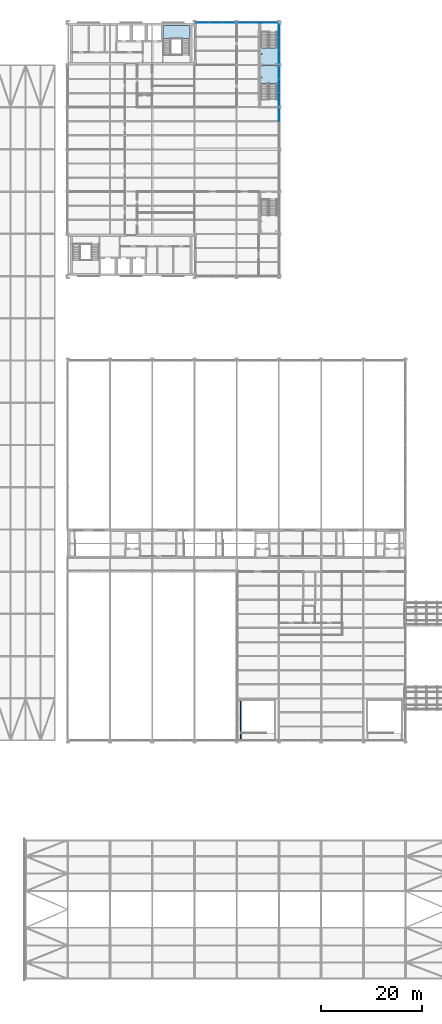
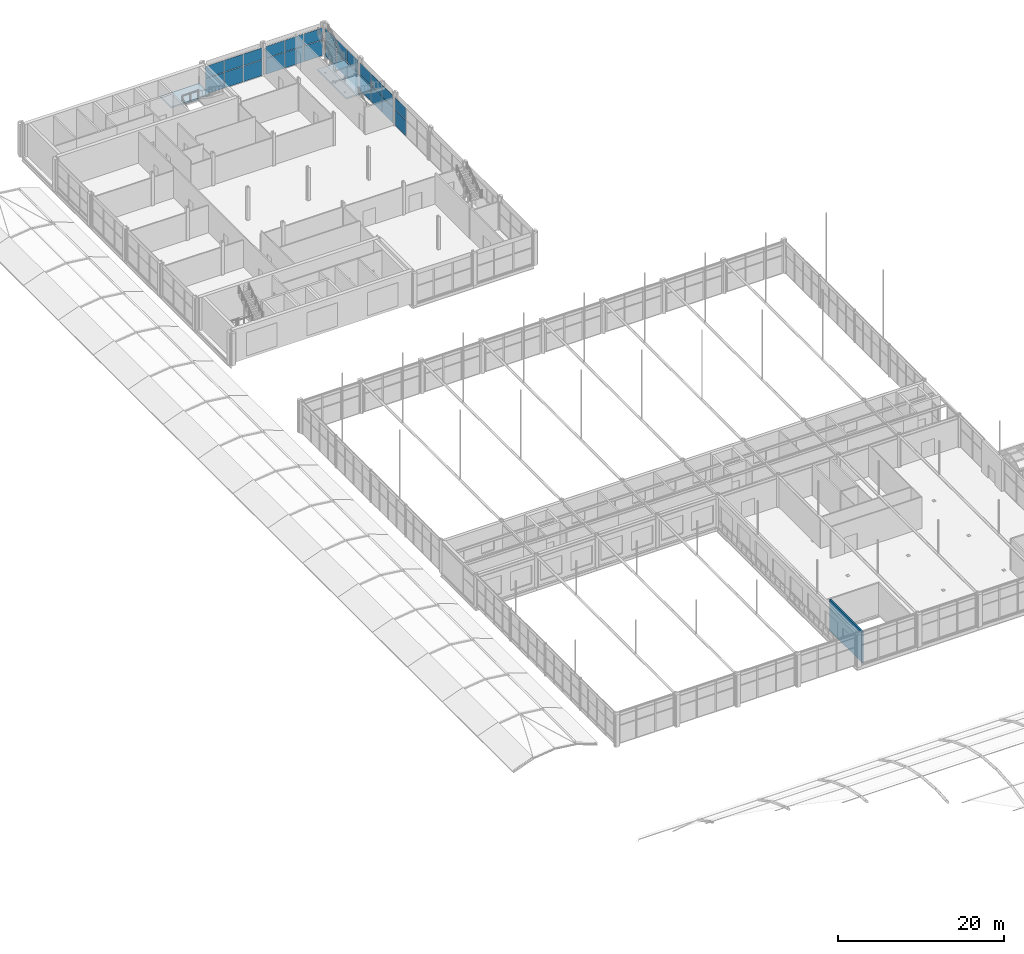
# One storey, part 149 of 167: 26 plates, 3 slabs, 1 wall, 8 elements without a shape of their own.
"""IFC4 building model written with IfcOpenShell, lengths in metres."""

import ifcopenshell
import ifcopenshell.guid

model = None  # the IFC model being written
_history = None  # IfcOwnerHistory: only IFC2X3 demands one
_inside = {}  # id of a spatial element -> (the spatial element, [elements in it])
_under = {}  # id of a project, library or spatial element -> (it, [spatial elements below it])
_declared = {}  # id of a project -> (the project, [libraries it declares])
_typed = {}  # id of a type object -> (the type object, [elements of that type])
_made_of = {}  # id of a material, layer set ... -> (it, [elements and type objects made of it])


def new_model(schema):
    """Start an empty IFC model of exactly this schema.

    Asked for "IFC4X3", IfcOpenShell would pick the latest addendum, in which some entities
    have other attributes; the version numbers below select the first issue.
    IFC2X3 requires an IfcOwnerHistory on every rooted entity: one is made here for all.
    """
    global model, _history
    if schema == "IFC4X3":
        model = ifcopenshell.file(schema_version=(4, 3, 0, 0))
    else:
        model = ifcopenshell.file(schema=schema)
    _inside.clear()
    _under.clear()
    _declared.clear()
    _typed.clear()
    _made_of.clear()
    _history = None
    if model.schema == "IFC2X3":
        org = make("IfcOrganization", Name="unknown")
        user = make(
            "IfcPersonAndOrganization",
            ThePerson=make("IfcPerson", FamilyName="unknown"),
            TheOrganization=org,
        )
        app = make(
            "IfcApplication",
            ApplicationDeveloper=org,
            Version="unknown",
            ApplicationFullName="unknown",
            ApplicationIdentifier="unknown",
        )
        _history = make(
            "IfcOwnerHistory",
            OwningUser=user,
            OwningApplication=app,
            ChangeAction="ADDED",
            CreationDate=0,
        )
    return model


def make(cls, **values):
    """One entity of the class cls with the attributes given. An attribute that is None is left unset."""
    return model.create_entity(
        cls, **{name: value for name, value in values.items() if value is not None}
    )


def rooted(cls, **values):
    """An entity with a GlobalId (a new one), such as an element, a storey or a relation."""
    return make(cls, GlobalId=ifcopenshell.guid.new(), OwnerHistory=_history, **values)


def si_unit(unit_type, name, prefix=None):
    """IfcSIUnit, for example si_unit("LENGTHUNIT", "METRE", prefix="MILLI")."""
    return make("IfcSIUnit", UnitType=unit_type, Prefix=prefix, Name=name)


def assignment(units):
    """IfcUnitAssignment: the units of a project."""
    return None if units is None else make("IfcUnitAssignment", Units=units)


def point(xyz):
    """IfcCartesianPoint."""
    return None if xyz is None else make("IfcCartesianPoint", Coordinates=xyz)


def direction(xyz):
    """IfcDirection."""
    return None if xyz is None else make("IfcDirection", DirectionRatios=xyz)


def frame(location, z_axis=None, x_axis=None):
    """IfcAxis2Placement3D, a coordinate frame: its origin and axes. An axis left out is left unset."""
    return make(
        "IfcAxis2Placement3D",
        Location=point(location),
        Axis=direction(z_axis),
        RefDirection=direction(x_axis),
    )


def frame_2d(location, x_axis=None):
    """IfcAxis2Placement2D, a coordinate frame in the plane: its origin and x axis."""
    return make(
        "IfcAxis2Placement2D", Location=point(location), RefDirection=direction(x_axis)
    )


def origin():
    """The frame at (0, 0, 0) with its axes left unset."""
    return frame((0.0, 0.0, 0.0))


def origin_2d():
    """The frame at (0, 0) in the plane with its x axis left unset."""
    return frame_2d((0.0, 0.0))


def place(relative_to, where):
    """IfcLocalPlacement: puts the frame where relative to a parent placement (None: the world)."""
    return make(
        "IfcLocalPlacement", PlacementRelTo=relative_to, RelativePlacement=where
    )


def context(
    kind, dimensions, precision=None, world=None, true_north=None, identifier=None
):
    """IfcGeometricRepresentationContext, for example the 3D "Model" context."""
    return make(
        "IfcGeometricRepresentationContext",
        ContextIdentifier=identifier,
        ContextType=kind,
        CoordinateSpaceDimension=dimensions,
        Precision=precision,
        WorldCoordinateSystem=world,
        TrueNorth=true_north,
    )


def subcontext(parent, identifier, kind, view, scale=None):
    """IfcGeometricRepresentationSubContext, for example "Body" below "Model"."""
    return make(
        "IfcGeometricRepresentationSubContext",
        ContextIdentifier=identifier,
        ContextType=kind,
        ParentContext=parent,
        TargetScale=scale,
        TargetView=view,
    )


def project(units=None, contexts=None):
    """IfcProject with its units and contexts."""
    return rooted(
        "IfcProject",
        Name="project",
        RepresentationContexts=contexts,
        UnitsInContext=assignment(units),
    )


def spatial(cls, under=None, at=None, **own):
    """A site, building, storey or space (cls), placed at a placement, below another one or the project."""
    s = rooted(cls, ObjectPlacement=at, **own)
    if under is not None:
        _under.setdefault(under.id(), (under, []))[1].append(s)
    return s


def polyline(points):
    """IfcPolyline through the points."""
    return make("IfcPolyline", Points=[point(p) for p in points])


def profile(cls, at=None, kind="AREA", **sizes):
    """A parametric profile (cls). Its sizes go by their IFC names, for example OverallWidth=200.0."""
    return make(cls, ProfileType=kind, Position=at, **sizes)


def rectangle(**sizes):
    """IfcRectangleProfileDef."""
    return profile("IfcRectangleProfileDef", **sizes)


def outline(outer, holes=None, kind="AREA"):
    """IfcArbitraryClosedProfileDef: a profile drawn as a closed curve; with holes, ...WithVoids."""
    if holes is None:
        return make("IfcArbitraryClosedProfileDef", ProfileType=kind, OuterCurve=outer)
    return make(
        "IfcArbitraryProfileDefWithVoids",
        ProfileType=kind,
        OuterCurve=outer,
        InnerCurves=holes,
    )


def extrude(swept, where, along, depth):
    """IfcExtrudedAreaSolid: the profile swept, set in the frame where, extruded along a direction by depth."""
    return make(
        "IfcExtrudedAreaSolid",
        SweptArea=swept,
        Position=where,
        ExtrudedDirection=direction(along),
        Depth=depth,
    )


def shape(context_of_items, identifier, shape_type, items):
    """IfcShapeRepresentation: the items that make up one representation, for example the "Body"."""
    return make(
        "IfcShapeRepresentation",
        ContextOfItems=context_of_items,
        RepresentationIdentifier=identifier,
        RepresentationType=shape_type,
        Items=items,
    )


def material(Name=None, Category=None):
    """IfcMaterial."""
    return make("IfcMaterial", Name=Name, Category=Category)


def layer(
    of_material, thickness, ventilated=None, Name=None, Category=None, Priority=None
):
    """IfcMaterialLayer: one layer of a wall or slab, of a material (None: an air gap)."""
    return make(
        "IfcMaterialLayer",
        Material=of_material,
        LayerThickness=thickness,
        IsVentilated=ventilated,
        Name=Name,
        Category=Category,
        Priority=Priority,
    )


def layer_set(layers, Name=None):
    """IfcMaterialLayerSet."""
    return make("IfcMaterialLayerSet", MaterialLayers=layers, LayerSetName=Name)


def made_of(thing, what):
    """Note that an element or type object is made of a material, layer set ...; save() writes the relation."""
    if what is not None:
        _made_of.setdefault(what.id(), (what, []))[1].append(thing)
    return thing


def type_object(cls, material=None, **own):
    """A type object (cls), such as IfcWallType, which elements share."""
    return made_of(rooted(cls, **own), material)


def element(
    cls,
    number,
    at=None,
    inside=None,
    cuts=None,
    type_object=None,
    material=None,
    context=None,
    identifier="Body",
    shape_type=None,
    held_by="IfcProductDefinitionShape",
    body=None,
    shapes=None,
    **own,
):
    """One element of the class cls, such as IfcWall. Its Tag is "e" and its number.

    at: its placement. inside: the storey or other place that contains it. cuts: it is an
    opening in that element (IfcRelVoidsElement). A single representation is given by context,
    identifier, shape_type and body (its items); several are given by shapes. held_by: the class
    of the entity that holds the representations. save() writes the other relations.
    """
    e = rooted(cls, Tag="e%d" % number, ObjectPlacement=at, **own)
    if body is not None:
        shapes = [shape(context, identifier, shape_type, body)]
    if shapes is not None:
        e.Representation = make(held_by, Representations=shapes)
    if inside is not None:
        _inside.setdefault(inside.id(), (inside, []))[1].append(e)
    if cuts is not None:
        rooted(
            "IfcRelVoidsElement", RelatingBuildingElement=cuts, RelatedOpeningElement=e
        )
    if type_object is not None:
        _typed.setdefault(type_object.id(), (type_object, []))[1].append(e)
    return made_of(e, material)


def aggregate(whole, parts):
    """IfcRelAggregates: a whole, such as a stair, and the parts it consists of."""
    return rooted("IfcRelAggregates", RelatingObject=whole, RelatedObjects=parts)


def save(model, path):
    """Write the relations noted so far, then the file.

    IfcRelAggregates (storeys below a building ...), IfcRelContainedInSpatialStructure (elements
    in a storey), IfcRelDefinesByType, IfcRelAssociatesMaterial and IfcRelDeclares: one each for
    every whole, place, type object, material and project.
    """
    for whole, parts in _under.values():
        aggregate(whole, parts)
    for where, things in _inside.values():
        rooted(
            "IfcRelContainedInSpatialStructure",
            RelatedElements=things,
            RelatingStructure=where,
        )
    for kind, things in _typed.values():
        rooted("IfcRelDefinesByType", RelatedObjects=things, RelatingType=kind)
    for what, things in _made_of.values():
        rooted("IfcRelAssociatesMaterial", RelatedObjects=things, RelatingMaterial=what)
    for by, libraries in _declared.values():
        rooted("IfcRelDeclares", RelatingContext=by, RelatedDefinitions=libraries)
    model.write(path)


model = new_model("IFC4")

# Units and contexts
model_context = context("Model", 3, precision=1e-05, world=origin(), true_north=direction((0.0, 1.0)))
body_context = subcontext(model_context, "Body", "Model", "MODEL_VIEW")
ifc_project = project(units=[si_unit("LENGTHUNIT", "METRE"), si_unit("AREAUNIT", "SQUARE_METRE"), si_unit("VOLUMEUNIT", "CUBIC_METRE"), si_unit("PLANEANGLEUNIT", "RADIAN"), si_unit("MASSUNIT", "GRAM", prefix="KILO")], contexts=[model_context])

# Site, building, storey
site_placement = place(None, origin())
site = spatial("IfcSite", under=ifc_project, at=site_placement, CompositionType="ELEMENT")
building_placement = place(site_placement, origin())
building = spatial("IfcBuilding", under=site, at=building_placement, Name="Catenary Quay Ferry Terminal", CompositionType="ELEMENT")
storey_placement = place(building_placement, frame((0.0, 0.0, 6.0)))
storey = spatial("IfcBuildingStorey", under=building, at=storey_placement, Name="L01", CompositionType="ELEMENT", Elevation=6.0)

# Curtain wall, plates
ifc_material_1 = material(Name="Aluminium and glass", Category="aluminium")
curtain_wall_type = type_object("IfcCurtainWallType", Name="CWW2", PredefinedType="NOTDEFINED", material=ifc_material_1)
curtain_wall_1_placement = place(storey_placement, origin())
curtain_wall_1 = element("IfcCurtainWall", 1, at=curtain_wall_1_placement, inside=storey, type_object=curtain_wall_type, Name="Wing curtain wall CW119", PredefinedType="NOTDEFINED")
ifc_material_2 = material(Name="Glass", Category="glass")
ifc_layer_1 = layer(ifc_material_2, 0.035888671875)
ifc_layer_set_1 = layer_set([ifc_layer_1], Name="PN4")
plate_type = type_object("IfcPlateType", Name="PN4", PredefinedType="CURTAIN_PANEL", material=ifc_layer_set_1)
plate_1_placement = place(storey_placement, frame((67.199951171875, 191.649169921875, 0.06005859375), z_axis=(0.0, 0.0, 1.0), x_axis=(0.0, 1.0, 0.0)))
plate_1 = element("IfcPlate", 2, at=plate_1_placement, type_object=plate_type, Name="CW119 panel 3.1", PredefinedType="CURTAIN_PANEL", context=body_context, shape_type="SweptSolid", body=[
    extrude(rectangle(XDim=2.561767578125, YDim=0.035888671875, at=origin_2d()), origin(), (0.0, 0.0, 1.0), 2.31005859375),
])
plate_2_placement = place(storey_placement, frame((67.199951171875, 191.649169921875, 2.429931640625), z_axis=(0.0, 0.0, 1.0), x_axis=(0.0, 1.0, 0.0)))
plate_2 = element("IfcPlate", 3, at=plate_2_placement, type_object=plate_type, Name="CW119 panel 3.2", PredefinedType="CURTAIN_PANEL", context=body_context, shape_type="SweptSolid", body=[
    extrude(rectangle(XDim=2.561767578125, YDim=0.035888671875, at=origin_2d()), origin(), (0.0, 0.0, 1.0), 1.7099609375),
])
aggregate(curtain_wall_1, [plate_1, plate_2])

curtain_wall_2_placement = place(storey_placement, origin())
curtain_wall_2 = element("IfcCurtainWall", 4, at=curtain_wall_2_placement, inside=storey, type_object=curtain_wall_type, Name="Wing curtain wall CW120", PredefinedType="NOTDEFINED")
plate_3_placement = place(storey_placement, frame((67.199951171875, 194.750732421875, 0.06005859375), z_axis=(0.0, 0.0, 1.0), x_axis=(0.0, 1.0, 0.0)))
plate_3 = element("IfcPlate", 5, at=plate_3_placement, type_object=plate_type, Name="CW120 panel 1.1", PredefinedType="CURTAIN_PANEL", context=body_context, shape_type="SweptSolid", body=[
    extrude(rectangle(XDim=2.561767578125, YDim=0.035888671875, at=origin_2d()), origin(), (0.0, 0.0, 1.0), 2.31005859375),
])
plate_4_placement = place(storey_placement, frame((67.199951171875, 194.750732421875, 2.429931640625), z_axis=(0.0, 0.0, 1.0), x_axis=(0.0, 1.0, 0.0)))
plate_4 = element("IfcPlate", 6, at=plate_4_placement, type_object=plate_type, Name="CW120 panel 1.2", PredefinedType="CURTAIN_PANEL", context=body_context, shape_type="SweptSolid", body=[
    extrude(rectangle(XDim=2.561767578125, YDim=0.035888671875, at=origin_2d()), origin(), (0.0, 0.0, 1.0), 1.7099609375),
])
plate_5_placement = place(storey_placement, frame((67.199951171875, 197.39990234375, 0.06005859375), z_axis=(0.0, 0.0, 1.0), x_axis=(0.0, 1.0, 0.0)))
plate_5 = element("IfcPlate", 7, at=plate_5_placement, type_object=plate_type, Name="CW120 panel 2.1", PredefinedType="CURTAIN_PANEL", context=body_context, shape_type="SweptSolid", body=[
    extrude(rectangle(XDim=2.5966796875, YDim=0.035888671875, at=origin_2d()), origin(), (0.0, 0.0, 1.0), 2.31005859375),
])
plate_6_placement = place(storey_placement, frame((67.199951171875, 197.39990234375, 2.429931640625), z_axis=(0.0, 0.0, 1.0), x_axis=(0.0, 1.0, 0.0)))
plate_6 = element("IfcPlate", 8, at=plate_6_placement, type_object=plate_type, Name="CW120 panel 2.2", PredefinedType="CURTAIN_PANEL", context=body_context, shape_type="SweptSolid", body=[
    extrude(rectangle(XDim=2.5966796875, YDim=0.035888671875, at=origin_2d()), origin(), (0.0, 0.0, 1.0), 1.7099609375),
])
plate_7_placement = place(storey_placement, frame((67.199951171875, 200.049072265625, 0.06005859375), z_axis=(0.0, 0.0, 1.0), x_axis=(0.0, 1.0, 0.0)))
plate_7 = element("IfcPlate", 9, at=plate_7_placement, type_object=plate_type, Name="CW120 panel 3.1", PredefinedType="CURTAIN_PANEL", context=body_context, shape_type="SweptSolid", body=[
    extrude(rectangle(XDim=2.561767578125, YDim=0.035888671875, at=origin_2d()), origin(), (0.0, 0.0, 1.0), 2.31005859375),
])
plate_8_placement = place(storey_placement, frame((67.199951171875, 200.049072265625, 2.429931640625), z_axis=(0.0, 0.0, 1.0), x_axis=(0.0, 1.0, 0.0)))
plate_8 = element("IfcPlate", 10, at=plate_8_placement, type_object=plate_type, Name="CW120 panel 3.2", PredefinedType="CURTAIN_PANEL", context=body_context, shape_type="SweptSolid", body=[
    extrude(rectangle(XDim=2.561767578125, YDim=0.035888671875, at=origin_2d()), origin(), (0.0, 0.0, 1.0), 1.7099609375),
])
aggregate(curtain_wall_2, [plate_3, plate_4, plate_5, plate_6, plate_7, plate_8])

curtain_wall_3_placement = place(storey_placement, origin())
curtain_wall_3 = element("IfcCurtainWall", 11, at=curtain_wall_3_placement, inside=storey, type_object=curtain_wall_type, Name="Wing curtain wall CW121", PredefinedType="NOTDEFINED")
plate_9_placement = place(storey_placement, frame((67.199951171875, 203.15087890625, 0.06005859375), z_axis=(0.0, 0.0, 1.0), x_axis=(0.0, 1.0, 0.0)))
plate_9 = element("IfcPlate", 12, at=plate_9_placement, type_object=plate_type, Name="CW121 panel 1.1", PredefinedType="CURTAIN_PANEL", context=body_context, shape_type="SweptSolid", body=[
    extrude(rectangle(XDim=2.561767578125, YDim=0.035888671875, at=origin_2d()), origin(), (0.0, 0.0, 1.0), 2.31005859375),
])
plate_10_placement = place(storey_placement, frame((67.199951171875, 203.15087890625, 2.429931640625), z_axis=(0.0, 0.0, 1.0), x_axis=(0.0, 1.0, 0.0)))
plate_10 = element("IfcPlate", 13, at=plate_10_placement, type_object=plate_type, Name="CW121 panel 1.2", PredefinedType="CURTAIN_PANEL", context=body_context, shape_type="SweptSolid", body=[
    extrude(rectangle(XDim=2.561767578125, YDim=0.035888671875, at=origin_2d()), origin(), (0.0, 0.0, 1.0), 1.7099609375),
])
plate_11_placement = place(storey_placement, frame((67.199951171875, 205.800048828125, 0.06005859375), z_axis=(0.0, 0.0, 1.0), x_axis=(0.0, 1.0, 0.0)))
plate_11 = element("IfcPlate", 14, at=plate_11_placement, type_object=plate_type, Name="CW121 panel 2.1", PredefinedType="CURTAIN_PANEL", context=body_context, shape_type="SweptSolid", body=[
    extrude(rectangle(XDim=2.5966796875, YDim=0.035888671875, at=origin_2d()), origin(), (0.0, 0.0, 1.0), 2.31005859375),
])
plate_12_placement = place(storey_placement, frame((67.199951171875, 205.800048828125, 2.429931640625), z_axis=(0.0, 0.0, 1.0), x_axis=(0.0, 1.0, 0.0)))
plate_12 = element("IfcPlate", 15, at=plate_12_placement, type_object=plate_type, Name="CW121 panel 2.2", PredefinedType="CURTAIN_PANEL", context=body_context, shape_type="SweptSolid", body=[
    extrude(rectangle(XDim=2.5966796875, YDim=0.035888671875, at=origin_2d()), origin(), (0.0, 0.0, 1.0), 1.7099609375),
])
plate_13_placement = place(storey_placement, frame((67.199951171875, 208.44921875, 0.06005859375), z_axis=(0.0, 0.0, 1.0), x_axis=(0.0, 1.0, 0.0)))
plate_13 = element("IfcPlate", 16, at=plate_13_placement, type_object=plate_type, Name="CW121 panel 3.1", PredefinedType="CURTAIN_PANEL", context=body_context, shape_type="SweptSolid", body=[
    extrude(rectangle(XDim=2.561767578125, YDim=0.035888671875, at=origin_2d()), origin(), (0.0, 0.0, 1.0), 2.31005859375),
])
plate_14_placement = place(storey_placement, frame((67.199951171875, 208.44921875, 2.429931640625), z_axis=(0.0, 0.0, 1.0), x_axis=(0.0, 1.0, 0.0)))
plate_14 = element("IfcPlate", 17, at=plate_14_placement, type_object=plate_type, Name="CW121 panel 3.2", PredefinedType="CURTAIN_PANEL", context=body_context, shape_type="SweptSolid", body=[
    extrude(rectangle(XDim=2.561767578125, YDim=0.035888671875, at=origin_2d()), origin(), (0.0, 0.0, 1.0), 1.7099609375),
])
aggregate(curtain_wall_3, [plate_9, plate_10, plate_11, plate_12, plate_13, plate_14])

curtain_wall_4_placement = place(storey_placement, origin())
curtain_wall_4 = element("IfcCurtainWall", 18, at=curtain_wall_4_placement, inside=storey, type_object=curtain_wall_type, Name="Wing curtain wall CW122", PredefinedType="NOTDEFINED")
plate_15_placement = place(storey_placement, frame((51.950927734375, 210.0, 0.06005859375), z_axis=(0.0, 0.0, 1.0), x_axis=(1.0, 0.0, 0.0)))
plate_15 = element("IfcPlate", 19, at=plate_15_placement, type_object=plate_type, Name="CW122 panel 1.1", PredefinedType="CURTAIN_PANEL", context=body_context, shape_type="SweptSolid", body=[
    extrude(rectangle(XDim=2.561767578125, YDim=0.035888671875, at=origin_2d()), origin(), (0.0, 0.0, 1.0), 2.31005859375),
])
plate_16_placement = place(storey_placement, frame((51.950927734375, 210.0, 2.429931640625), z_axis=(0.0, 0.0, 1.0), x_axis=(1.0, 0.0, 0.0)))
plate_16 = element("IfcPlate", 20, at=plate_16_placement, type_object=plate_type, Name="CW122 panel 1.2", PredefinedType="CURTAIN_PANEL", context=body_context, shape_type="SweptSolid", body=[
    extrude(rectangle(XDim=2.561767578125, YDim=0.035888671875, at=origin_2d()), origin(), (0.0, 0.0, 1.0), 1.7099609375),
])
plate_17_placement = place(storey_placement, frame((54.60009765625, 210.0, 0.06005859375), z_axis=(0.0, 0.0, 1.0), x_axis=(1.0, 0.0, 0.0)))
plate_17 = element("IfcPlate", 21, at=plate_17_placement, type_object=plate_type, Name="CW122 panel 2.1", PredefinedType="CURTAIN_PANEL", context=body_context, shape_type="SweptSolid", body=[
    extrude(rectangle(XDim=2.5966796875, YDim=0.035888671875, at=origin_2d()), origin(), (0.0, 0.0, 1.0), 2.31005859375),
])
plate_18_placement = place(storey_placement, frame((54.60009765625, 210.0, 2.429931640625), z_axis=(0.0, 0.0, 1.0), x_axis=(1.0, 0.0, 0.0)))
plate_18 = element("IfcPlate", 22, at=plate_18_placement, type_object=plate_type, Name="CW122 panel 2.2", PredefinedType="CURTAIN_PANEL", context=body_context, shape_type="SweptSolid", body=[
    extrude(rectangle(XDim=2.5966796875, YDim=0.035888671875, at=origin_2d()), origin(), (0.0, 0.0, 1.0), 1.7099609375),
])
plate_19_placement = place(storey_placement, frame((57.249267578125, 210.0, 0.06005859375), z_axis=(0.0, 0.0, 1.0), x_axis=(1.0, 0.0, 0.0)))
plate_19 = element("IfcPlate", 23, at=plate_19_placement, type_object=plate_type, Name="CW122 panel 3.1", PredefinedType="CURTAIN_PANEL", context=body_context, shape_type="SweptSolid", body=[
    extrude(rectangle(XDim=2.561767578125, YDim=0.035888671875, at=origin_2d()), origin(), (0.0, 0.0, 1.0), 2.31005859375),
])
plate_20_placement = place(storey_placement, frame((57.249267578125, 210.0, 2.429931640625), z_axis=(0.0, 0.0, 1.0), x_axis=(1.0, 0.0, 0.0)))
plate_20 = element("IfcPlate", 24, at=plate_20_placement, type_object=plate_type, Name="CW122 panel 3.2", PredefinedType="CURTAIN_PANEL", context=body_context, shape_type="SweptSolid", body=[
    extrude(rectangle(XDim=2.561767578125, YDim=0.035888671875, at=origin_2d()), origin(), (0.0, 0.0, 1.0), 1.7099609375),
])
aggregate(curtain_wall_4, [plate_15, plate_16, plate_17, plate_18, plate_19, plate_20])

curtain_wall_5_placement = place(storey_placement, origin())
curtain_wall_5 = element("IfcCurtainWall", 25, at=curtain_wall_5_placement, inside=storey, type_object=curtain_wall_type, Name="Wing curtain wall CW123", PredefinedType="NOTDEFINED")
plate_21_placement = place(storey_placement, frame((60.350830078125, 210.0, 0.06005859375), z_axis=(0.0, 0.0, 1.0), x_axis=(1.0, 0.0, 0.0)))
plate_21 = element("IfcPlate", 26, at=plate_21_placement, type_object=plate_type, Name="CW123 panel 1.1", PredefinedType="CURTAIN_PANEL", context=body_context, shape_type="SweptSolid", body=[
    extrude(rectangle(XDim=2.561767578125, YDim=0.035888671875, at=origin_2d()), origin(), (0.0, 0.0, 1.0), 2.31005859375),
])
plate_22_placement = place(storey_placement, frame((60.350830078125, 210.0, 2.429931640625), z_axis=(0.0, 0.0, 1.0), x_axis=(1.0, 0.0, 0.0)))
plate_22 = element("IfcPlate", 27, at=plate_22_placement, type_object=plate_type, Name="CW123 panel 1.2", PredefinedType="CURTAIN_PANEL", context=body_context, shape_type="SweptSolid", body=[
    extrude(rectangle(XDim=2.561767578125, YDim=0.035888671875, at=origin_2d()), origin(), (0.0, 0.0, 1.0), 1.7099609375),
])
plate_23_placement = place(storey_placement, frame((63.0, 210.0, 0.06005859375), z_axis=(0.0, 0.0, 1.0), x_axis=(1.0, 0.0, 0.0)))
plate_23 = element("IfcPlate", 28, at=plate_23_placement, type_object=plate_type, Name="CW123 panel 2.1", PredefinedType="CURTAIN_PANEL", context=body_context, shape_type="SweptSolid", body=[
    extrude(rectangle(XDim=2.5966796875, YDim=0.035888671875, at=origin_2d()), origin(), (0.0, 0.0, 1.0), 2.31005859375),
])
plate_24_placement = place(storey_placement, frame((63.0, 210.0, 2.429931640625), z_axis=(0.0, 0.0, 1.0), x_axis=(1.0, 0.0, 0.0)))
plate_24 = element("IfcPlate", 29, at=plate_24_placement, type_object=plate_type, Name="CW123 panel 2.2", PredefinedType="CURTAIN_PANEL", context=body_context, shape_type="SweptSolid", body=[
    extrude(rectangle(XDim=2.5966796875, YDim=0.035888671875, at=origin_2d()), origin(), (0.0, 0.0, 1.0), 1.7099609375),
])
plate_25_placement = place(storey_placement, frame((65.649169921875, 210.0, 0.06005859375), z_axis=(0.0, 0.0, 1.0), x_axis=(1.0, 0.0, 0.0)))
plate_25 = element("IfcPlate", 30, at=plate_25_placement, type_object=plate_type, Name="CW123 panel 3.1", PredefinedType="CURTAIN_PANEL", context=body_context, shape_type="SweptSolid", body=[
    extrude(rectangle(XDim=2.561767578125, YDim=0.035888671875, at=origin_2d()), origin(), (0.0, 0.0, 1.0), 2.31005859375),
])
plate_26_placement = place(storey_placement, frame((65.649169921875, 210.0, 2.429931640625), z_axis=(0.0, 0.0, 1.0), x_axis=(1.0, 0.0, 0.0)))
plate_26 = element("IfcPlate", 31, at=plate_26_placement, type_object=plate_type, Name="CW123 panel 3.2", PredefinedType="CURTAIN_PANEL", context=body_context, shape_type="SweptSolid", body=[
    extrude(rectangle(XDim=2.561767578125, YDim=0.035888671875, at=origin_2d()), origin(), (0.0, 0.0, 1.0), 1.7099609375),
])
aggregate(curtain_wall_5, [plate_21, plate_22, plate_23, plate_24, plate_25, plate_26])

# Stair, slab
ifc_material_3 = material(Name="Concrete C35/45", Category="concrete")
stair_type = type_object("IfcStairType", Name="STX1500", PredefinedType="HALF_TURN_STAIR", material=ifc_material_3)
stair_1_placement = place(storey_placement, origin())
stair_1 = element("IfcStair", 32, at=stair_1_placement, inside=storey, type_object=stair_type, Name="Stair HS1 L01 to L02", PredefinedType="HALF_TURN_STAIR")
ifc_material_4 = material(Name="Concrete C35/45", Category="concrete")
ifc_layer_2 = layer(ifc_material_4, 0.199951171875)
ifc_layer_set_2 = layer_set([ifc_layer_2], Name="SLX1500")
slab_type = type_object("IfcSlabType", Name="SLX1500", PredefinedType="LANDING", material=ifc_layer_set_2)
slab_1_placement = place(storey_placement, frame((0.0, 0.0, 2.199951171875)))
slab_1 = element("IfcSlab", 33, at=slab_1_placement, type_object=slab_type, Name="HS1-L01 landing 1", PredefinedType="LANDING", context=body_context, shape_type="SweptSolid", body=[
    extrude(outline(polyline([(44.199951171875, 209.39990234375), (44.199951171875, 209.5), (49.39990234375, 209.5), (49.39990234375, 209.39990234375), (49.5, 209.39990234375), (49.5, 206.85009765625), (44.10009765625, 206.85009765625), (44.10009765625, 209.39990234375), (44.199951171875, 209.39990234375)])), origin(), (0.0, 0.0, 1.0), 0.199951171875),
])
aggregate(stair_1, [slab_1])

stair_2_placement = place(storey_placement, origin())
stair_2 = element("IfcStair", 34, at=stair_2_placement, inside=storey, type_object=stair_type, Name="Stair HS4 L01 to L02", PredefinedType="HALF_TURN_STAIR")
slab_2_placement = place(storey_placement, frame((0.0, 0.0, 2.199951171875)))
slab_2 = element("IfcSlab", 35, at=slab_2_placement, type_object=slab_type, Name="HS4-L01 landing 1", PredefinedType="LANDING", context=body_context, shape_type="SweptSolid", body=[
    extrude(outline(polyline([(63.300048828125, 201.5), (67.0, 201.5), (67.0, 197.949951171875), (63.300048828125, 197.949951171875), (63.300048828125, 201.5)]), holes=[polyline([(63.670166015625, 201.270263671875), (63.829833984375, 201.270263671875), (63.829833984375, 201.429931640625), (63.670166015625, 201.429931640625), (63.670166015625, 201.270263671875)]), polyline([(66.570068359375, 201.270263671875), (66.729736328125, 201.270263671875), (66.729736328125, 201.429931640625), (66.570068359375, 201.429931640625), (66.570068359375, 201.270263671875)]), polyline([(63.670166015625, 199.020263671875), (63.829833984375, 199.020263671875), (63.829833984375, 199.179931640625), (63.670166015625, 199.179931640625), (63.670166015625, 199.020263671875)])]), origin(), (0.0, 0.0, 1.0), 0.199951171875),
])
aggregate(stair_2, [slab_2])

stair_3_placement = place(storey_placement, origin())
stair_3 = element("IfcStair", 36, at=stair_3_placement, inside=storey, type_object=stair_type, Name="Stair HS5 L01 to L02", PredefinedType="HALF_TURN_STAIR")
slab_3_placement = place(storey_placement, frame((0.0, 0.0, 2.199951171875)))
slab_3 = element("IfcSlab", 37, at=slab_3_placement, type_object=slab_type, Name="HS5-L01 landing 1", PredefinedType="LANDING", context=body_context, shape_type="SweptSolid", body=[
    extrude(outline(polyline([(63.300048828125, 204.949951171875), (67.0, 204.949951171875), (67.0, 201.699951171875), (63.300048828125, 201.699951171875), (63.300048828125, 204.949951171875)]), holes=[polyline([(63.670166015625, 201.770263671875), (63.829833984375, 201.770263671875), (63.829833984375, 201.929931640625), (63.670166015625, 201.929931640625), (63.670166015625, 201.770263671875)]), polyline([(66.570068359375, 201.770263671875), (66.729736328125, 201.770263671875), (66.729736328125, 201.929931640625), (66.570068359375, 201.929931640625), (66.570068359375, 201.770263671875)]), polyline([(63.670166015625, 203.72021484375), (63.829833984375, 203.72021484375), (63.829833984375, 203.8798828125), (63.670166015625, 203.8798828125), (63.670166015625, 203.72021484375)])]), origin(), (0.0, 0.0, 1.0), 0.199951171875),
])
aggregate(stair_3, [slab_3])

# Wall
ifc_material_5 = material(Name="Blockwork and plaster", Category="masonry")
ifc_layer_3 = layer(ifc_material_5, 0.199951171875)
ifc_layer_set_3 = layer_set([ifc_layer_3], Name="IP4")
wall_type = type_object("IfcWallType", Name="IP4", PredefinedType="PARTITIONING", material=ifc_layer_set_3)
wall_placement = place(storey_placement, frame((59.60009765625, 67.27490234375, 0.0), z_axis=(0.0, 0.0, 1.0), x_axis=(0.0, 1.0, 0.0)))
element("IfcWall", 38, at=wall_placement, inside=storey, type_object=wall_type, Name="Partition L01 77", PredefinedType="PARTITIONING", context=body_context, shape_type="SweptSolid", body=[
    extrude(rectangle(XDim=7.8251953125, YDim=0.199951171875, at=frame_2d((3.91259765625, 0.0))), origin(), (0.0, 0.0, 1.0), 4.60009765625),
])

save(model, "model.ifc")
